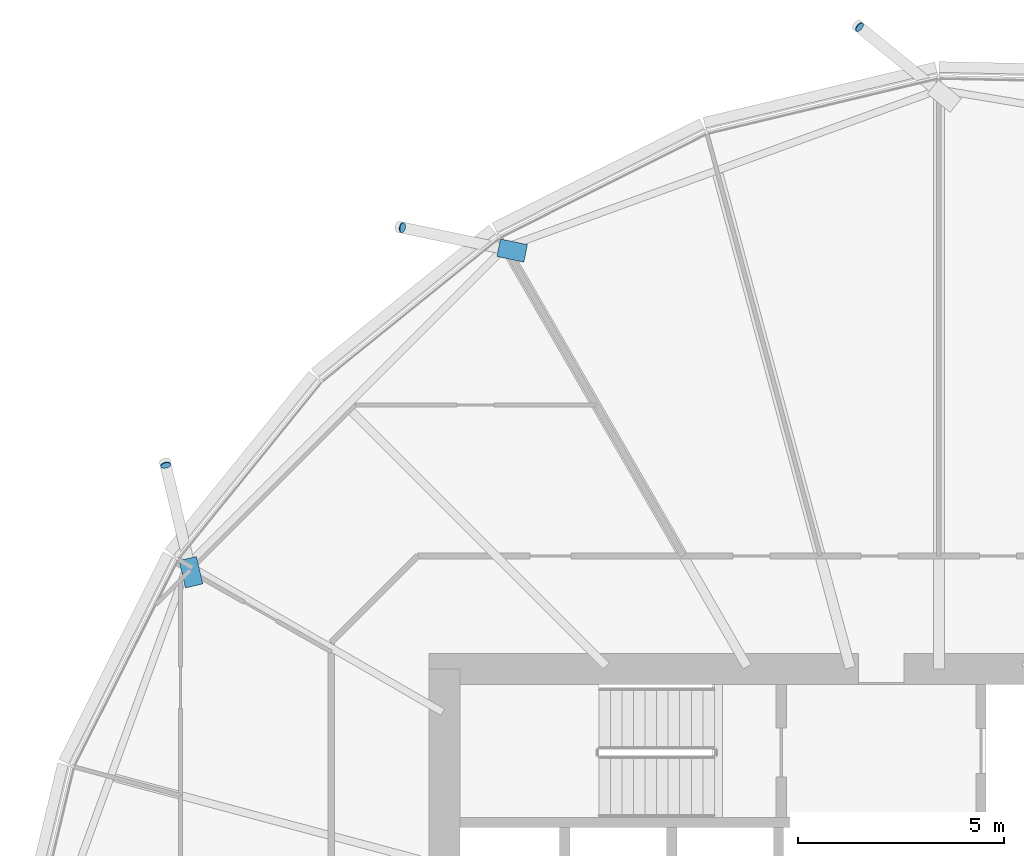
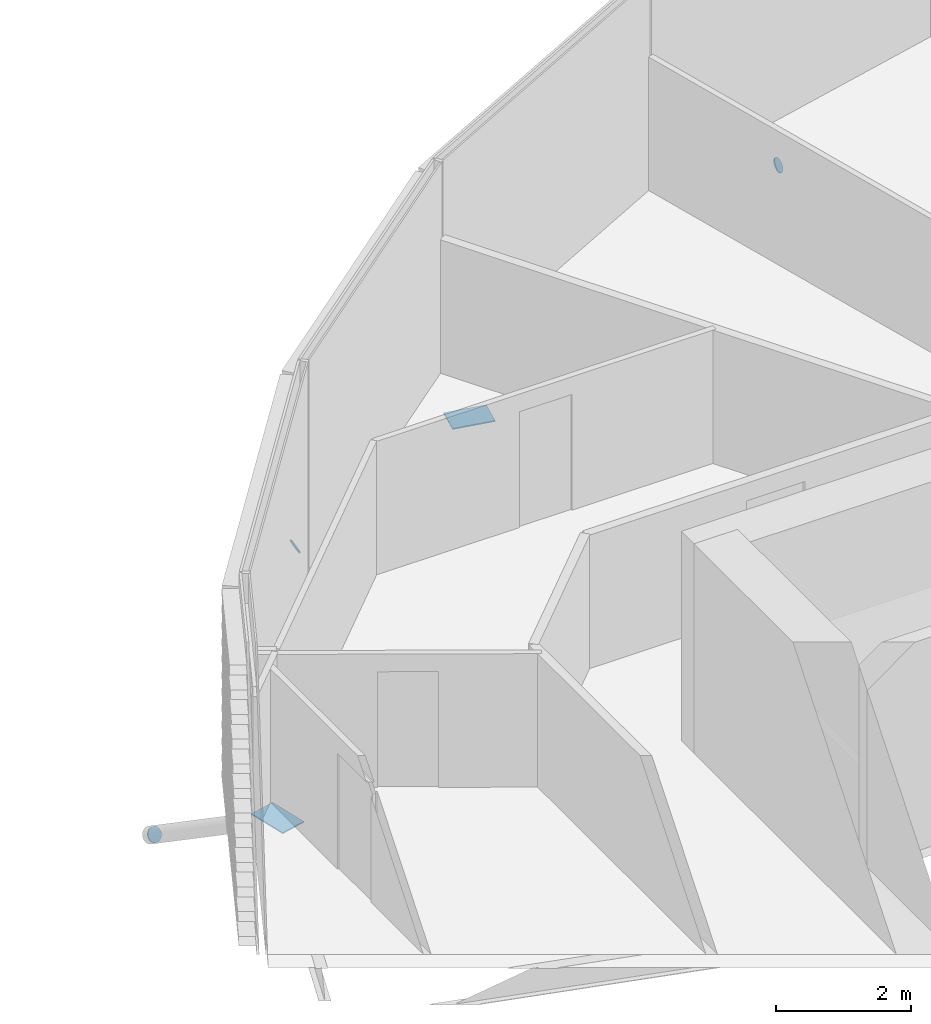
# One storey, part 33 of 40: 5 discrete accessories.
"""IFC4 building model written with IfcOpenShell, lengths in metres."""

from ifc_helpers import new_model, si_unit, direction, frame, origin, origin_2d, place, context, subcontext, project, spatial, polyline, rectangle, circle, outline, extrude, material, material_profile, profile_set, type_object, element, save


model = new_model("IFC4")

# Units and contexts
model_context = context("Model", 3, precision=1e-05, world=origin(), true_north=direction((0.0, 1.0)))
body_context = subcontext(model_context, "Body", "Model", "MODEL_VIEW")
ifc_project = project(units=[si_unit("LENGTHUNIT", "METRE"), si_unit("AREAUNIT", "SQUARE_METRE"), si_unit("VOLUMEUNIT", "CUBIC_METRE"), si_unit("PLANEANGLEUNIT", "RADIAN"), si_unit("MASSUNIT", "GRAM", prefix="KILO")], contexts=[model_context])

# Site, building, storey
site_placement = place(None, origin())
site = spatial("IfcSite", under=ifc_project, at=site_placement, CompositionType="ELEMENT")
building_placement = place(site_placement, origin())
building = spatial("IfcBuilding", under=site, at=building_placement, Name="Rimbun Link Towers", CompositionType="ELEMENT")
storey_placement = place(building_placement, frame((0.0, 0.0, 89.199951171875)))
storey = spatial("IfcBuildingStorey", under=building, at=storey_placement, Name="L21", CompositionType="ELEMENT", Elevation=89.199951171875)

# Discrete accessories
ifc_material_1 = material(Name="Steel S355J2H", Category="steel")
ifc_material_profile_1 = material_profile(ifc_material_1, circle(Radius=0.1240234375, at=origin_2d()), Name="PL D248")
ifc_profile_set_1 = profile_set([ifc_material_profile_1], Name="Steel S355J2H")
discrete_accessory_type_1 = type_object("IfcDiscreteAccessoryType", Name="Link foot sealing plate D248X20", PredefinedType="BRACKET", material=ifc_profile_set_1)
for number, where, z_axis, x_axis, name in (
    (1, (29.829345703125, 23.58447265625, -2.44091796875), (-0.674453273433, 0.551825405536, -0.490511471588), (-0.633237790257, -0.773957299203, 0.0), "Link foot sealing plate T2 L21 03"),
    (2, (18.731689453125, 18.718994140625, -2.5146484375), (-0.827302034332, 0.170326889421, -0.535313081038), (-0.20165292067, -0.979457043257, 0.0), "Link foot sealing plate T2 L21 05"),
    (3, (12.97998046875, 12.945556640625, -2.23193359375), (-0.195049444825, 0.828960140507, -0.524195382968), (-0.973417168334, -0.229039333726, 0.0), "Link foot sealing plate T2 L21 07"),
):
    element("IfcDiscreteAccessory", number, at=place(storey_placement, frame(where, z_axis=z_axis, x_axis=x_axis)), inside=storey, type_object=discrete_accessory_type_1, Name=name, PredefinedType="BRACKET", context=body_context, shape_type="SweptSolid", body=[
        extrude(circle(Radius=0.1240234375, at=origin_2d()), origin(), (0.0, 0.0, 1.0), 0.02001953125),
    ])
ifc_material_2 = material(Name="Steel S355J2H", Category="steel")
ifc_material_profile_2 = material_profile(ifc_material_2, rectangle(XDim=0.43310546875, YDim=0.43310546875, at=origin_2d()), Name="PL 433x433")
ifc_profile_set_2 = profile_set([ifc_material_profile_2], Name="Steel S355J2H")
discrete_accessory_type_2 = type_object("IfcDiscreteAccessoryType", Name="Link head end plate 433X20", PredefinedType="BRACKET", material=ifc_profile_set_2)
discrete_accessory_1_placement = place(storey_placement, frame((0.0, 0.0, -0.782470703125)))
element("IfcDiscreteAccessory", 4, at=discrete_accessory_1_placement, inside=storey, type_object=discrete_accessory_type_2, Name="Link head end plate T2 L21 05", PredefinedType="BRACKET", context=body_context, shape_type="SweptSolid", body=[
    extrude(outline(polyline([(21.76318359375, 18.306640625), (21.109619140625, 18.443359375), (21.02099609375, 18.019287109375), (21.6748046875, 17.8828125), (21.76318359375, 18.306640625)])), origin(), (0.0, 0.0, 1.0), 0.02001953125),
])
discrete_accessory_2_placement = place(storey_placement, frame((0.0, 0.0, -0.58642578125)))
element("IfcDiscreteAccessory", 5, at=discrete_accessory_2_placement, inside=storey, type_object=discrete_accessory_type_2, Name="Link head end plate T2 L21 07", PredefinedType="BRACKET", context=body_context, shape_type="SweptSolid", body=[
    extrude(outline(polyline([(13.881103515625, 10.07177734375), (13.724853515625, 10.73291015625), (13.303466796875, 10.633544921875), (13.459716796875, 9.97216796875), (13.881103515625, 10.07177734375)])), origin(), (0.0, 0.0, 1.0), 0.02001953125),
])

save(model, "model.ifc")
